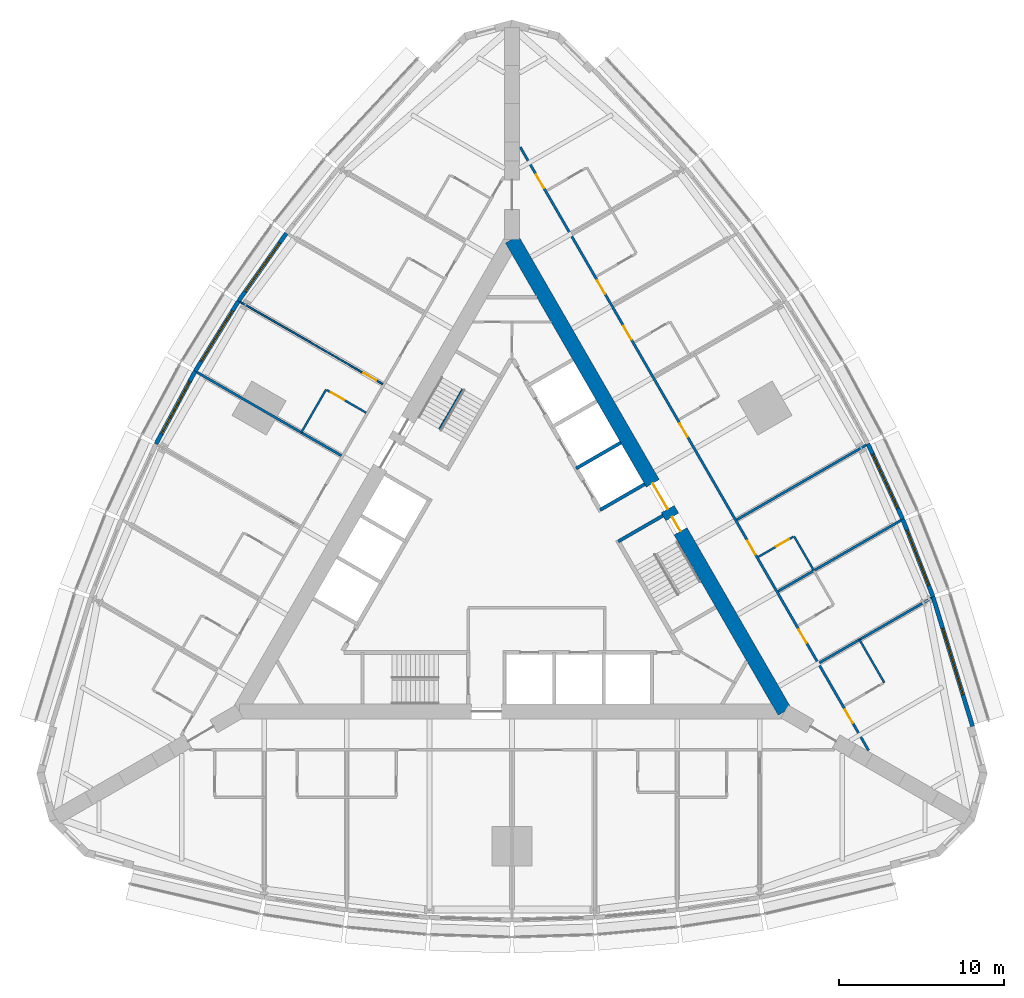
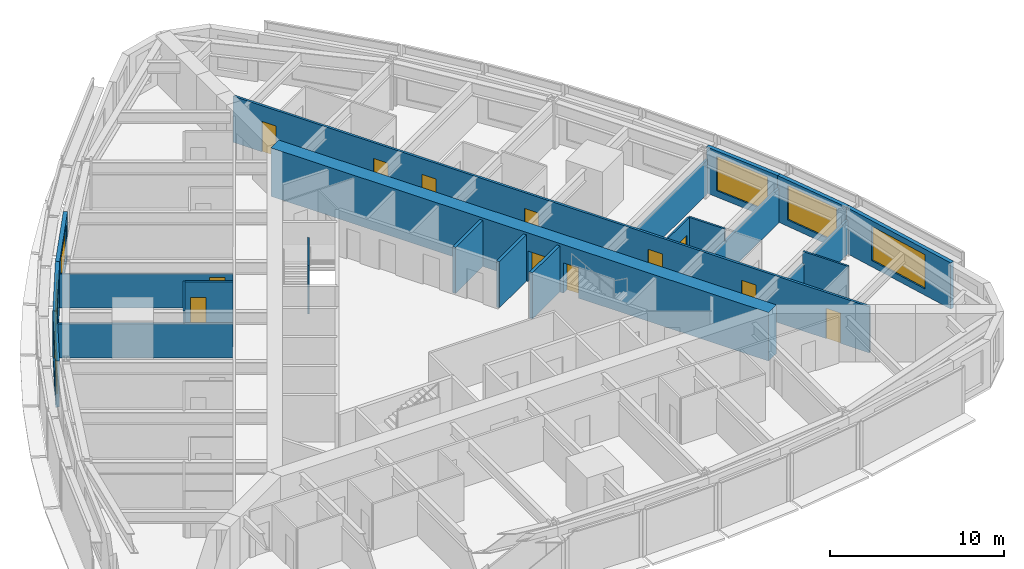
# One storey, part 11 of 14: 22 walls, 12 doors, 6 windows, 18 openings.
"""IFC4 building model written with IfcOpenShell, lengths in metres."""

from ifc_helpers import new_model, si_unit, direction, frame, frame_2d, origin, place, context, subcontext, project, spatial, rectangle, extrude, material, layer, layer_set, type_object, element, fill, save


model = new_model("IFC4")

# Units and contexts
model_context = context("Model", 3, precision=1e-05, world=origin(), true_north=direction((0.0, 1.0)))
body_context = subcontext(model_context, "Body", "Model", "MODEL_VIEW")
ifc_project = project(units=[si_unit("LENGTHUNIT", "METRE"), si_unit("AREAUNIT", "SQUARE_METRE"), si_unit("VOLUMEUNIT", "CUBIC_METRE"), si_unit("PLANEANGLEUNIT", "RADIAN"), si_unit("MASSUNIT", "GRAM", prefix="KILO")], contexts=[model_context])

# Site, building, storey
site_placement = place(None, origin())
site = spatial("IfcSite", under=ifc_project, at=site_placement, CompositionType="ELEMENT")
building_placement = place(site_placement, origin())
building = spatial("IfcBuilding", under=site, at=building_placement, Name="Trikona Tower", CompositionType="ELEMENT")
storey_placement = place(building_placement, frame((0.0, 0.0, 45.5)))
storey = spatial("IfcBuildingStorey", under=building, at=storey_placement, Name="L10", CompositionType="ELEMENT", Elevation=45.5)

# Walls
ifc_material_1 = material(Name="Metal stud and cement board", Category="gypsum")
ifc_layer_1 = layer(ifc_material_1, 0.1201171875)
ifc_layer_set_1 = layer_set([ifc_layer_1], Name="Bathroom wall 120")
wall_type_1 = type_object("IfcWallType", Name="Bathroom wall 120", PredefinedType="PLUMBINGWALL", material=ifc_layer_set_1)
wall_1_placement = place(storey_placement, frame((22.53271484375, -7.775390625, 0.0), z_axis=(0.0, 0.0, 1.0), x_axis=(-0.499990139034, 0.866031096941, 0.0)))
element("IfcWall", 1, at=wall_1_placement, inside=storey, type_object=wall_type_1, Name="Bathroom wall 1006", PredefinedType="PLUMBINGWALL", context=body_context, shape_type="SweptSolid", body=[
    extrude(rectangle(XDim=3.0, YDim=0.1201171875, at=frame_2d((1.5, 0.0))), origin(), (0.0, 0.0, 1.0), 3.235107421875),
])
wall_2_placement = place(storey_placement, frame((18.27294921875, -0.9970703125, 0.0), z_axis=(0.0, 0.0, 1.0), x_axis=(-0.500001309137, 0.866024647952, 0.0)))
element("IfcWall", 2, at=wall_2_placement, inside=storey, type_object=wall_type_1, Name="Bathroom wall 1008", PredefinedType="PLUMBINGWALL", context=body_context, shape_type="SweptSolid", body=[
    extrude(rectangle(XDim=2.39990234375, YDim=0.1201171875, at=frame_2d((1.199951171875, 0.0))), origin(), (0.0, 0.0, 1.0), 3.235107421875),
])

# Wall, opening, door
wall_3_placement = place(storey_placement, frame((14.907958984375, -0.168701171875, 0.0), z_axis=(0.0, 0.0, 1.0), x_axis=(0.866023955769, 0.500002508028, 0.0)))
wall_3 = element("IfcWall", 3, at=wall_3_placement, inside=storey, type_object=wall_type_1, Name="Bathroom wall 1008", PredefinedType="PLUMBINGWALL", context=body_context, shape_type="SweptSolid", body=[
    extrude(rectangle(XDim=2.43994140625, YDim=0.1201171875, at=frame_2d((1.219970703125, 0.0))), origin(), (0.0, 0.0, 1.0), 3.235107421875),
])
opening_1_placement = place(wall_3_placement, frame((1.25, 0.0, 0.0)))
opening_1 = element("IfcOpeningElement", 4, at=opening_1_placement, cuts=wall_3, Name="Opening D2", PredefinedType="OPENING", context=body_context, shape_type="SweptSolid", body=[
    extrude(rectangle(XDim=0.89990234375, YDim=2.1298828125, at=frame_2d((0.449951171875, 1.06494140625))), frame((0.0, 0.070068359375, 0.0), z_axis=(0.0, -1.0, 0.0), x_axis=(1.0, 0.0, 0.0)), (0.0, 0.0, 1.0), 0.14013671875),
])
ifc_material_2 = material(Name="Steel door frame with solid-core timber leaf", Category="steel")
door_type_1 = type_object("IfcDoorType", Name="Bathroom door 900x2130", OperationType="SLIDING_TO_LEFT", PredefinedType="DOOR", material=ifc_material_2)
door_1_placement = place(opening_1_placement, origin())
door_1 = element("IfcDoor", 5, at=door_1_placement, inside=storey, type_object=door_type_1, Name="Bathroom door 1008", OperationType="SLIDING_TO_LEFT", OverallHeight=2.1298828125, OverallWidth=0.89990234375, PredefinedType="DOOR", context=body_context, shape_type="SweptSolid", body=[
    extrude(rectangle(XDim=0.89990234375, YDim=2.1298828125, at=frame_2d((0.449951171875, 1.06494140625))), frame((0.0, 0.02490234375, 0.0), z_axis=(0.0, -1.0, 0.0), x_axis=(1.0, 0.0, 0.0)), (0.0, 0.0, 1.0), 0.050048828125),
])
fill(opening_1, door_1)

# Wall
wall_4_placement = place(storey_placement, frame((-11.25341796875, 9.961181640625, 0.0), z_axis=(0.0, 0.0, 1.0), x_axis=(-0.499990139034, -0.866031096941, 0.0)))
element("IfcWall", 6, at=wall_4_placement, inside=storey, type_object=wall_type_1, Name="Bathroom wall 1015.1", PredefinedType="PLUMBINGWALL", context=body_context, shape_type="SweptSolid", body=[
    extrude(rectangle(XDim=3.0, YDim=0.1201171875, at=frame_2d((1.5, 0.0))), origin(), (0.0, 0.0, 1.0), 3.235107421875),
])

# Wall, opening, door
wall_5_placement = place(storey_placement, frame((-8.82861328125, 8.561279296875, 0.0), z_axis=(0.0, 0.0, 1.0), x_axis=(-0.866035715982, 0.499982138324, 0.0)))
wall_5 = element("IfcWall", 7, at=wall_5_placement, inside=storey, type_object=wall_type_1, Name="Bathroom wall 1015.1", PredefinedType="PLUMBINGWALL", context=body_context, shape_type="SweptSolid", body=[
    extrude(rectangle(XDim=2.73974609375, YDim=0.1201171875, at=frame_2d((1.369873046875, 0.0))), origin(), (0.0, 0.0, 1.0), 3.235107421875),
])
opening_2_placement = place(wall_5_placement, frame((1.550048828125, 0.0, 0.0)))
opening_2 = element("IfcOpeningElement", 8, at=opening_2_placement, cuts=wall_5, Name="Opening D2", PredefinedType="OPENING", context=body_context, shape_type="SweptSolid", body=[
    extrude(rectangle(XDim=0.89990234375, YDim=2.1298828125, at=frame_2d((0.449951171875, 1.06494140625))), frame((0.0, 0.070068359375, 0.0), z_axis=(0.0, -1.0, 0.0), x_axis=(1.0, 0.0, 0.0)), (0.0, 0.0, 1.0), 0.14013671875),
])
door_2_placement = place(opening_2_placement, origin())
door_2 = element("IfcDoor", 9, at=door_2_placement, inside=storey, type_object=door_type_1, Name="Bathroom door 1015.1", OperationType="SLIDING_TO_LEFT", OverallHeight=2.1298828125, OverallWidth=0.89990234375, PredefinedType="DOOR", context=body_context, shape_type="SweptSolid", body=[
    extrude(rectangle(XDim=0.89990234375, YDim=2.1298828125, at=frame_2d((0.449951171875, 1.06494140625))), frame((0.0, 0.02490234375, 0.0), z_axis=(0.0, -1.0, 0.0), x_axis=(1.0, 0.0, 0.0)), (0.0, 0.0, 1.0), 0.050048828125),
])
fill(opening_2, door_2)

# Wall, openings, doors
ifc_material_3 = material(Name="Concrete f'c 10000 psi", Category="concrete")
ifc_layer_2 = layer(ifc_material_3, 0.89990234375)
ifc_layer_set_2 = layer_set([ifc_layer_2], Name="Core wall 900")
wall_type_2 = type_object("IfcWallType", Name="Core wall 900", PredefinedType="SHEAR", material=ifc_layer_set_2)
wall_6_placement = place(storey_placement, frame((16.5, -9.5263671875, 0.0), z_axis=(0.0, 0.0, 1.0), x_axis=(-0.499999749417, 0.866025548458, 0.0)))
wall_6 = element("IfcWall", 10, at=wall_6_placement, inside=storey, type_object=wall_type_2, Name="Core wall B", PredefinedType="SHEAR", context=body_context, shape_type="SweptSolid", body=[
    extrude(rectangle(XDim=33.0, YDim=0.89990234375, at=frame_2d((16.5, 0.0))), origin(), (0.0, 0.0, 1.0), 3.39990234375),
])
opening_3_placement = place(wall_6_placement, frame((14.14990234375, 0.0, 0.0)))
opening_3 = element("IfcOpeningElement", 11, at=opening_3_placement, cuts=wall_6, Name="Opening D6", PredefinedType="OPENING", context=body_context, shape_type="SweptSolid", body=[
    extrude(rectangle(XDim=1.800048828125, YDim=2.1298828125, at=frame_2d((0.89990234375, 1.06494140625))), frame((0.0, 0.4599609375, 0.0), z_axis=(0.0, -1.0, 0.0), x_axis=(1.0, 0.0, 0.0)), (0.0, 0.0, 1.0), 0.919921875),
])
opening_4_placement = place(wall_6_placement, frame((12.60009765625, 0.0, 0.0)))
opening_4 = element("IfcOpeningElement", 12, at=opening_4_placement, cuts=wall_6, Name="Opening D5", PredefinedType="OPENING", context=body_context, shape_type="SweptSolid", body=[
    extrude(rectangle(XDim=1.0, YDim=2.1298828125, at=frame_2d((0.5, 1.06494140625))), frame((0.0, 0.4599609375, 0.0), z_axis=(0.0, -1.0, 0.0), x_axis=(1.0, 0.0, 0.0)), (0.0, 0.0, 1.0), 0.919921875),
])
ifc_material_4 = material(Name="Hollow metal door and frame", Category="steel")
door_type_2 = type_object("IfcDoorType", Name="Lobby door pair 1800x2130", OperationType="DOUBLE_DOOR_SINGLE_SWING", PredefinedType="DOOR", material=ifc_material_4)
door_3_placement = place(opening_3_placement, origin())
door_3 = element("IfcDoor", 13, at=door_3_placement, inside=storey, type_object=door_type_2, Name="Lift lobby door B", OperationType="DOUBLE_DOOR_SINGLE_SWING", OverallHeight=2.1298828125, OverallWidth=1.800048828125, PredefinedType="DOOR", context=body_context, shape_type="SweptSolid", body=[
    extrude(rectangle(XDim=1.800048828125, YDim=2.1298828125, at=frame_2d((0.89990234375, 1.06494140625))), frame((0.0, 0.02490234375, 0.0), z_axis=(0.0, -1.0, 0.0), x_axis=(1.0, 0.0, 0.0)), (0.0, 0.0, 1.0), 0.050048828125),
])
fill(opening_3, door_3)
ifc_material_5 = material(Name="Hollow metal door and frame", Category="steel")
door_type_3 = type_object("IfcDoorType", Name="Stair door 1000x2130", OperationType="SINGLE_SWING_LEFT", PredefinedType="DOOR", material=ifc_material_5)
door_4_placement = place(opening_4_placement, origin())
door_4 = element("IfcDoor", 14, at=door_4_placement, inside=storey, type_object=door_type_3, Name="Stair B door", OperationType="SINGLE_SWING_RIGHT", OverallHeight=2.1298828125, OverallWidth=1.0, PredefinedType="DOOR", context=body_context, shape_type="SweptSolid", body=[
    extrude(rectangle(XDim=1.0, YDim=2.1298828125, at=frame_2d((0.5, 1.06494140625))), frame((0.0, 0.02490234375, 0.0), z_axis=(0.0, -1.0, 0.0), x_axis=(1.0, 0.0, 0.0)), (0.0, 0.0, 1.0), 0.050048828125),
])
fill(opening_4, door_4)

ifc_material_6 = material(Name="Metal stud and gypsum board, 1-hour", Category="gypsum")
ifc_layer_3 = layer(ifc_material_6, 0.14990234375)
ifc_layer_set_3 = layer_set([ifc_layer_3], Name="Corridor wall 150")
wall_type_3 = type_object("IfcWallType", Name="Corridor wall 150", PredefinedType="PARTITIONING", material=ifc_layer_set_3)
wall_7_placement = place(storey_placement, frame((21.5859375, -11.88525390625, 0.0), z_axis=(0.0, 0.0, 1.0), x_axis=(-0.500001915564, 0.86602429783, 0.0)))
wall_7 = element("IfcWall", 15, at=wall_7_placement, inside=storey, type_object=wall_type_3, Name="Corridor wall L10-2", PredefinedType="PARTITIONING", context=body_context, shape_type="SweptSolid", body=[
    extrude(rectangle(XDim=42.171630859375, YDim=0.14990234375, at=frame_2d((21.0859375, 0.0))), origin(), (0.0, 0.0, 1.0), 3.235107421875),
])
opening_5_placement = place(wall_7_placement, frame((1.910888671875, 0.0, 0.0)))
opening_5 = element("IfcOpeningElement", 16, at=opening_5_placement, cuts=wall_7, Name="Opening D1", PredefinedType="OPENING", context=body_context, shape_type="SweptSolid", body=[
    extrude(rectangle(XDim=0.949951171875, YDim=2.1298828125, at=frame_2d((0.47509765625, 1.06494140625))), frame((0.0, 0.0849609375, 0.0), z_axis=(0.0, -1.0, 0.0), x_axis=(1.0, 0.0, 0.0)), (0.0, 0.0, 1.0), 0.169921875),
])
opening_6_placement = place(wall_7_placement, frame((7.510986328125, 0.0, 0.0)))
opening_6 = element("IfcOpeningElement", 17, at=opening_6_placement, cuts=wall_7, Name="Opening D1", PredefinedType="OPENING", context=body_context, shape_type="SweptSolid", body=[
    extrude(rectangle(XDim=0.949951171875, YDim=2.1298828125, at=frame_2d((0.47509765625, 1.06494140625))), frame((0.0, 0.0849609375, 0.0), z_axis=(0.0, -1.0, 0.0), x_axis=(1.0, 0.0, 0.0)), (0.0, 0.0, 1.0), 0.169921875),
])
opening_7_placement = place(wall_7_placement, frame((13.7109375, 0.0, 0.0)))
opening_7 = element("IfcOpeningElement", 18, at=opening_7_placement, cuts=wall_7, Name="Opening D1", PredefinedType="OPENING", context=body_context, shape_type="SweptSolid", body=[
    extrude(rectangle(XDim=0.949951171875, YDim=2.1298828125, at=frame_2d((0.47509765625, 1.06494140625))), frame((0.0, 0.0849609375, 0.0), z_axis=(0.0, -1.0, 0.0), x_axis=(1.0, 0.0, 0.0)), (0.0, 0.0, 1.0), 0.169921875),
])
opening_8_placement = place(wall_7_placement, frame((21.910888671875, 0.0, 0.0)))
opening_8 = element("IfcOpeningElement", 19, at=opening_8_placement, cuts=wall_7, Name="Opening D1", PredefinedType="OPENING", context=body_context, shape_type="SweptSolid", body=[
    extrude(rectangle(XDim=0.949951171875, YDim=2.1298828125, at=frame_2d((0.47509765625, 1.06494140625))), frame((0.0, 0.0849609375, 0.0), z_axis=(0.0, -1.0, 0.0), x_axis=(1.0, 0.0, 0.0)), (0.0, 0.0, 1.0), 0.169921875),
])
opening_9_placement = place(wall_7_placement, frame((28.7109375, 0.0, 0.0)))
opening_9 = element("IfcOpeningElement", 20, at=opening_9_placement, cuts=wall_7, Name="Opening D1", PredefinedType="OPENING", context=body_context, shape_type="SweptSolid", body=[
    extrude(rectangle(XDim=0.949951171875, YDim=2.1298828125, at=frame_2d((0.47509765625, 1.06494140625))), frame((0.0, 0.0849609375, 0.0), z_axis=(0.0, -1.0, 0.0), x_axis=(1.0, 0.0, 0.0)), (0.0, 0.0, 1.0), 0.169921875),
])
opening_10_placement = place(wall_7_placement, frame((31.910888671875, 0.0, 0.0)))
opening_10 = element("IfcOpeningElement", 21, at=opening_10_placement, cuts=wall_7, Name="Opening D1", PredefinedType="OPENING", context=body_context, shape_type="SweptSolid", body=[
    extrude(rectangle(XDim=0.949951171875, YDim=2.1298828125, at=frame_2d((0.47509765625, 1.06494140625))), frame((0.0, 0.0849609375, 0.0), z_axis=(0.0, -1.0, 0.0), x_axis=(1.0, 0.0, 0.0)), (0.0, 0.0, 1.0), 0.169921875),
])
opening_11_placement = place(wall_7_placement, frame((39.310791015625, 0.0, 0.0)))
opening_11 = element("IfcOpeningElement", 22, at=opening_11_placement, cuts=wall_7, Name="Opening D1", PredefinedType="OPENING", context=body_context, shape_type="SweptSolid", body=[
    extrude(rectangle(XDim=0.949951171875, YDim=2.1298828125, at=frame_2d((0.47509765625, 1.06494140625))), frame((0.0, 0.0849609375, 0.0), z_axis=(0.0, -1.0, 0.0), x_axis=(1.0, 0.0, 0.0)), (0.0, 0.0, 1.0), 0.169921875),
])
ifc_material_7 = material(Name="Steel door frame with solid-core timber leaf", Category="steel")
door_type_4 = type_object("IfcDoorType", Name="Guest room door 950x2130", OperationType="SINGLE_SWING_LEFT", PredefinedType="DOOR", material=ifc_material_7)
door_5_placement = place(opening_5_placement, origin())
door_5 = element("IfcDoor", 23, at=door_5_placement, inside=storey, type_object=door_type_4, Name="Room door 1006", OperationType="SINGLE_SWING_LEFT", OverallHeight=2.1298828125, OverallWidth=0.949951171875, PredefinedType="DOOR", context=body_context, shape_type="SweptSolid", body=[
    extrude(rectangle(XDim=0.949951171875, YDim=2.1298828125, at=frame_2d((0.47509765625, 1.06494140625))), frame((0.0, 0.02490234375, 0.0), z_axis=(0.0, -1.0, 0.0), x_axis=(1.0, 0.0, 0.0)), (0.0, 0.0, 1.0), 0.050048828125),
])
fill(opening_5, door_5)
door_6_placement = place(opening_6_placement, origin())
door_6 = element("IfcDoor", 24, at=door_6_placement, inside=storey, type_object=door_type_4, Name="Room door 1007", OperationType="SINGLE_SWING_RIGHT", OverallHeight=2.1298828125, OverallWidth=0.949951171875, PredefinedType="DOOR", context=body_context, shape_type="SweptSolid", body=[
    extrude(rectangle(XDim=0.949951171875, YDim=2.1298828125, at=frame_2d((0.47509765625, 1.06494140625))), frame((0.0, 0.02490234375, 0.0), z_axis=(0.0, -1.0, 0.0), x_axis=(1.0, 0.0, 0.0)), (0.0, 0.0, 1.0), 0.050048828125),
])
fill(opening_6, door_6)
door_7_placement = place(opening_7_placement, origin())
door_7 = element("IfcDoor", 25, at=door_7_placement, inside=storey, type_object=door_type_4, Name="Room door 1008", OperationType="SINGLE_SWING_LEFT", OverallHeight=2.1298828125, OverallWidth=0.949951171875, PredefinedType="DOOR", context=body_context, shape_type="SweptSolid", body=[
    extrude(rectangle(XDim=0.949951171875, YDim=2.1298828125, at=frame_2d((0.47509765625, 1.06494140625))), frame((0.0, 0.02490234375, 0.0), z_axis=(0.0, -1.0, 0.0), x_axis=(1.0, 0.0, 0.0)), (0.0, 0.0, 1.0), 0.050048828125),
])
fill(opening_7, door_7)
door_8_placement = place(opening_8_placement, origin())
door_8 = element("IfcDoor", 26, at=door_8_placement, inside=storey, type_object=door_type_4, Name="Room door 1009", OperationType="SINGLE_SWING_RIGHT", OverallHeight=2.1298828125, OverallWidth=0.949951171875, PredefinedType="DOOR", context=body_context, shape_type="SweptSolid", body=[
    extrude(rectangle(XDim=0.949951171875, YDim=2.1298828125, at=frame_2d((0.47509765625, 1.06494140625))), frame((0.0, 0.02490234375, 0.0), z_axis=(0.0, -1.0, 0.0), x_axis=(1.0, 0.0, 0.0)), (0.0, 0.0, 1.0), 0.050048828125),
])
fill(opening_8, door_8)
door_9_placement = place(opening_9_placement, origin())
door_9 = element("IfcDoor", 27, at=door_9_placement, inside=storey, type_object=door_type_4, Name="Room door 1010", OperationType="SINGLE_SWING_LEFT", OverallHeight=2.1298828125, OverallWidth=0.949951171875, PredefinedType="DOOR", context=body_context, shape_type="SweptSolid", body=[
    extrude(rectangle(XDim=0.949951171875, YDim=2.1298828125, at=frame_2d((0.47509765625, 1.06494140625))), frame((0.0, 0.02490234375, 0.0), z_axis=(0.0, -1.0, 0.0), x_axis=(1.0, 0.0, 0.0)), (0.0, 0.0, 1.0), 0.050048828125),
])
fill(opening_9, door_9)
door_10_placement = place(opening_10_placement, origin())
door_10 = element("IfcDoor", 28, at=door_10_placement, inside=storey, type_object=door_type_4, Name="Room door 1011", OperationType="SINGLE_SWING_RIGHT", OverallHeight=2.1298828125, OverallWidth=0.949951171875, PredefinedType="DOOR", context=body_context, shape_type="SweptSolid", body=[
    extrude(rectangle(XDim=0.949951171875, YDim=2.1298828125, at=frame_2d((0.47509765625, 1.06494140625))), frame((0.0, 0.02490234375, 0.0), z_axis=(0.0, -1.0, 0.0), x_axis=(1.0, 0.0, 0.0)), (0.0, 0.0, 1.0), 0.050048828125),
])
fill(opening_10, door_10)
door_11_placement = place(opening_11_placement, origin())
door_11 = element("IfcDoor", 29, at=door_11_placement, inside=storey, type_object=door_type_4, Name="Room door 1012", OperationType="SINGLE_SWING_RIGHT", OverallHeight=2.1298828125, OverallWidth=0.949951171875, PredefinedType="DOOR", context=body_context, shape_type="SweptSolid", body=[
    extrude(rectangle(XDim=0.949951171875, YDim=2.1298828125, at=frame_2d((0.47509765625, 1.06494140625))), frame((0.0, 0.02490234375, 0.0), z_axis=(0.0, -1.0, 0.0), x_axis=(1.0, 0.0, 0.0)), (0.0, 0.0, 1.0), 0.050048828125),
])
fill(opening_11, door_11)

# Wall, opening, window
ifc_material_8 = material(Name="Insulated precast concrete spandrel panel", Category="concrete")
ifc_layer_4 = layer(ifc_material_8, 0.25)
ifc_layer_set_4 = layer_set([ifc_layer_4], Name="Inner skin wall 250")
wall_type_4 = type_object("IfcWallType", Name="Inner skin wall 250", PredefinedType="STANDARD", material=ifc_layer_set_4)
wall_8_placement = place(storey_placement, frame((27.88037109375, -10.4287109375, 0.0), z_axis=(0.0, 0.0, 1.0), x_axis=(-0.2919790669, 0.956424709265, 0.0)))
wall_8 = element("IfcWall", 30, at=wall_8_placement, inside=storey, type_object=wall_type_4, Name="External wall L10-12", PredefinedType="STANDARD", context=body_context, shape_type="SweptSolid", body=[
    extrude(rectangle(XDim=8.211181640625, YDim=0.25, at=frame_2d((4.10546875, 0.0))), origin(), (0.0, 0.0, 1.0), 3.235107421875),
])
opening_12_placement = place(wall_8_placement, frame((2.005615234375, 0.0, 0.449951171875)))
opening_12 = element("IfcOpeningElement", 31, at=opening_12_placement, cuts=wall_8, Name="Opening W4224", PredefinedType="OPENING", context=body_context, shape_type="SweptSolid", body=[
    extrude(rectangle(XDim=4.199951171875, YDim=2.39990234375, at=frame_2d((2.10009765625, 1.199951171875))), frame((0.0, 0.135009765625, 0.0), z_axis=(0.0, -1.0, 0.0), x_axis=(1.0, 0.0, 0.0)), (0.0, 0.0, 1.0), 0.27001953125),
])
ifc_material_9 = material(Name="Aluminium-framed double glazing", Category="aluminium")
window_type_1 = type_object("IfcWindowType", Name="Window 4200x2400", PartitioningType="SINGLE_PANEL", PredefinedType="WINDOW", material=ifc_material_9)
window_1_placement = place(opening_12_placement, origin())
window_1 = element("IfcWindow", 32, at=window_1_placement, inside=storey, type_object=window_type_1, Name="Window 1006", OverallHeight=2.39990234375, OverallWidth=4.199951171875, PartitioningType="SINGLE_PANEL", PredefinedType="WINDOW", context=body_context, shape_type="SweptSolid", body=[
    extrude(rectangle(XDim=4.199951171875, YDim=2.39990234375, at=frame_2d((2.10009765625, 1.199951171875))), frame((0.0, 0.030029296875, 0.0), z_axis=(0.0, -1.0, 0.0), x_axis=(1.0, 0.0, 0.0)), (0.0, 0.0, 1.0), 0.06005859375),
])
fill(opening_12, window_1)

wall_9_placement = place(storey_placement, frame((25.486083984375, -2.58447265625, 0.0), z_axis=(0.0, 0.0, 1.0), x_axis=(-0.364013463868, 0.931393685894, 0.0)))
wall_9 = element("IfcWall", 33, at=wall_9_placement, inside=storey, type_object=wall_type_4, Name="External wall L10-13", PredefinedType="STANDARD", context=body_context, shape_type="SweptSolid", body=[
    extrude(rectangle(XDim=5.0576171875, YDim=0.25, at=frame_2d((2.52880859375, 0.0))), origin(), (0.0, 0.0, 1.0), 3.235107421875),
])
opening_13_placement = place(wall_9_placement, frame((0.728759765625, 0.0, 0.449951171875)))
opening_13 = element("IfcOpeningElement", 34, at=opening_13_placement, cuts=wall_9, Name="Opening W3624", PredefinedType="OPENING", context=body_context, shape_type="SweptSolid", body=[
    extrude(rectangle(XDim=3.60009765625, YDim=2.39990234375, at=frame_2d((1.800048828125, 1.199951171875))), frame((0.0, 0.135009765625, 0.0), z_axis=(0.0, -1.0, 0.0), x_axis=(1.0, 0.0, 0.0)), (0.0, 0.0, 1.0), 0.27001953125),
])
ifc_material_10 = material(Name="Aluminium-framed double glazing", Category="aluminium")
window_type_2 = type_object("IfcWindowType", Name="Window 3600x2400", PartitioningType="SINGLE_PANEL", PredefinedType="WINDOW", material=ifc_material_10)
window_2_placement = place(opening_13_placement, origin())
window_2 = element("IfcWindow", 35, at=window_2_placement, inside=storey, type_object=window_type_2, Name="Window 1007", OverallHeight=2.39990234375, OverallWidth=3.60009765625, PartitioningType="SINGLE_PANEL", PredefinedType="WINDOW", context=body_context, shape_type="SweptSolid", body=[
    extrude(rectangle(XDim=3.60009765625, YDim=2.39990234375, at=frame_2d((1.800048828125, 1.199951171875))), frame((0.0, 0.030029296875, 0.0), z_axis=(0.0, -1.0, 0.0), x_axis=(1.0, 0.0, 0.0)), (0.0, 0.0, 1.0), 0.06005859375),
])
fill(opening_13, window_2)

wall_10_placement = place(storey_placement, frame((23.64794921875, 2.119384765625, 0.0), z_axis=(0.0, 0.0, 1.0), x_axis=(-0.419203100754, 0.907892482796, 0.0)))
wall_10 = element("IfcWall", 36, at=wall_10_placement, inside=storey, type_object=wall_type_4, Name="External wall L10-14", PredefinedType="STANDARD", context=body_context, shape_type="SweptSolid", body=[
    extrude(rectangle(XDim=5.020751953125, YDim=0.25, at=frame_2d((2.51025390625, 0.0))), origin(), (0.0, 0.0, 1.0), 3.235107421875),
])
opening_14_placement = place(wall_10_placement, frame((0.71044921875, 0.0, 0.449951171875)))
opening_14 = element("IfcOpeningElement", 37, at=opening_14_placement, cuts=wall_10, Name="Opening W3624", PredefinedType="OPENING", context=body_context, shape_type="SweptSolid", body=[
    extrude(rectangle(XDim=3.60009765625, YDim=2.39990234375, at=frame_2d((1.800048828125, 1.199951171875))), frame((0.0, 0.135009765625, 0.0), z_axis=(0.0, -1.0, 0.0), x_axis=(1.0, 0.0, 0.0)), (0.0, 0.0, 1.0), 0.27001953125),
])
window_3_placement = place(opening_14_placement, origin())
window_3 = element("IfcWindow", 38, at=window_3_placement, inside=storey, type_object=window_type_2, Name="Window 1008", OverallHeight=2.39990234375, OverallWidth=3.60009765625, PartitioningType="SINGLE_PANEL", PredefinedType="WINDOW", context=body_context, shape_type="SweptSolid", body=[
    extrude(rectangle(XDim=3.60009765625, YDim=2.39990234375, at=frame_2d((1.800048828125, 1.199951171875))), frame((0.0, 0.030029296875, 0.0), z_axis=(0.0, -1.0, 0.0), x_axis=(1.0, 0.0, 0.0)), (0.0, 0.0, 1.0), 0.06005859375),
])
fill(opening_14, window_3)

wall_11_placement = place(storey_placement, frame((-13.659423828125, 19.420166015625, 0.0), z_axis=(0.0, 0.0, 1.0), x_axis=(-0.5766431066, -0.81699616132, 0.0)))
wall_11 = element("IfcWall", 39, at=wall_11_placement, inside=storey, type_object=wall_type_4, Name="External wall L10-26", PredefinedType="STANDARD", context=body_context, shape_type="SweptSolid", body=[
    extrude(rectangle(XDim=5.02099609375, YDim=0.25, at=frame_2d((2.510498046875, 0.0))), origin(), (0.0, 0.0, 1.0), 3.235107421875),
])
opening_15_placement = place(wall_11_placement, frame((0.71044921875, 0.0, 0.449951171875)))
opening_15 = element("IfcOpeningElement", 40, at=opening_15_placement, cuts=wall_11, Name="Opening W3624", PredefinedType="OPENING", context=body_context, shape_type="SweptSolid", body=[
    extrude(rectangle(XDim=3.60009765625, YDim=2.39990234375, at=frame_2d((1.800048828125, 1.199951171875))), frame((0.0, 0.135009765625, 0.0), z_axis=(0.0, -1.0, 0.0), x_axis=(1.0, 0.0, 0.0)), (0.0, 0.0, 1.0), 0.27001953125),
])
window_4_placement = place(opening_15_placement, origin())
window_4 = element("IfcWindow", 41, at=window_4_placement, inside=storey, type_object=window_type_2, Name="Window 1015", OverallHeight=2.39990234375, OverallWidth=3.60009765625, PartitioningType="SINGLE_PANEL", PredefinedType="WINDOW", context=body_context, shape_type="SweptSolid", body=[
    extrude(rectangle(XDim=3.60009765625, YDim=2.39990234375, at=frame_2d((1.800048828125, 1.199951171875))), frame((0.0, 0.030029296875, 0.0), z_axis=(0.0, -1.0, 0.0), x_axis=(1.0, 0.0, 0.0)), (0.0, 0.0, 1.0), 0.06005859375),
])
fill(opening_15, window_4)

wall_12_placement = place(storey_placement, frame((-16.550537109375, 15.324462890625, 0.0), z_axis=(0.0, 0.0, 1.0), x_axis=(-0.526132807704, -0.850402415717, 0.0)))
wall_12 = element("IfcWall", 42, at=wall_12_placement, inside=storey, type_object=wall_type_4, Name="External wall L10-27", PredefinedType="STANDARD", context=body_context, shape_type="SweptSolid", body=[
    extrude(rectangle(XDim=5.002197265625, YDim=0.25, at=frame_2d((2.5009765625, 0.0))), origin(), (0.0, 0.0, 1.0), 3.235107421875),
])
opening_16_placement = place(wall_12_placement, frame((0.701171875, 0.0, 0.449951171875)))
opening_16 = element("IfcOpeningElement", 43, at=opening_16_placement, cuts=wall_12, Name="Opening W3624", PredefinedType="OPENING", context=body_context, shape_type="SweptSolid", body=[
    extrude(rectangle(XDim=3.60009765625, YDim=2.39990234375, at=frame_2d((1.800048828125, 1.199951171875))), frame((0.0, 0.135009765625, 0.0), z_axis=(0.0, -1.0, 0.0), x_axis=(1.0, 0.0, 0.0)), (0.0, 0.0, 1.0), 0.27001953125),
])
window_5_placement = place(opening_16_placement, origin())
window_5 = element("IfcWindow", 44, at=window_5_placement, inside=storey, type_object=window_type_2, Name="Window 1015.1", OverallHeight=2.39990234375, OverallWidth=3.60009765625, PartitioningType="SINGLE_PANEL", PredefinedType="WINDOW", context=body_context, shape_type="SweptSolid", body=[
    extrude(rectangle(XDim=3.60009765625, YDim=2.39990234375, at=frame_2d((1.800048828125, 1.199951171875))), frame((0.0, 0.030029296875, 0.0), z_axis=(0.0, -1.0, 0.0), x_axis=(1.0, 0.0, 0.0)), (0.0, 0.0, 1.0), 0.06005859375),
])
fill(opening_16, window_5)

wall_13_placement = place(storey_placement, frame((-19.178466796875, 11.0771484375, 0.0), z_axis=(0.0, 0.0, 1.0), x_axis=(-0.473412820489, -0.880840678782, 0.0)))
wall_13 = element("IfcWall", 45, at=wall_13_placement, inside=storey, type_object=wall_type_4, Name="External wall L10-28", PredefinedType="STANDARD", context=body_context, shape_type="SweptSolid", body=[
    extrude(rectangle(XDim=5.00244140625, YDim=0.25, at=frame_2d((2.501220703125, 0.0))), origin(), (0.0, 0.0, 1.0), 3.235107421875),
])
opening_17_placement = place(wall_13_placement, frame((0.701171875, 0.0, 0.449951171875)))
opening_17 = element("IfcOpeningElement", 46, at=opening_17_placement, cuts=wall_13, Name="Opening W3624", PredefinedType="OPENING", context=body_context, shape_type="SweptSolid", body=[
    extrude(rectangle(XDim=3.60009765625, YDim=2.39990234375, at=frame_2d((1.800048828125, 1.199951171875))), frame((0.0, 0.135009765625, 0.0), z_axis=(0.0, -1.0, 0.0), x_axis=(1.0, 0.0, 0.0)), (0.0, 0.0, 1.0), 0.27001953125),
])
window_6_placement = place(opening_17_placement, origin())
window_6 = element("IfcWindow", 47, at=window_6_placement, inside=storey, type_object=window_type_2, Name="Window 1016", OverallHeight=2.39990234375, OverallWidth=3.60009765625, PartitioningType="SINGLE_PANEL", PredefinedType="WINDOW", context=body_context, shape_type="SweptSolid", body=[
    extrude(rectangle(XDim=3.60009765625, YDim=2.39990234375, at=frame_2d((1.800048828125, 1.199951171875))), frame((0.0, 0.030029296875, 0.0), z_axis=(0.0, -1.0, 0.0), x_axis=(1.0, 0.0, 0.0)), (0.0, 0.0, 1.0), 0.06005859375),
])
fill(opening_17, window_6)

# Walls
ifc_material_11 = material(Name="Metal stud and gypsum board, 1-hour acoustic", Category="gypsum")
ifc_layer_5 = layer(ifc_material_11, 0.14990234375)
ifc_layer_set_5 = layer_set([ifc_layer_5], Name="Party wall 150")
wall_type_5 = type_object("IfcWallType", Name="Party wall 150", PredefinedType="PARTITIONING", material=ifc_layer_set_5)
wall_14_placement = place(storey_placement, frame((18.60791015625, -6.5771484375, 0.0), z_axis=(0.0, 0.0, 1.0), x_axis=(0.866034818847, 0.499983692279, 0.0)))
element("IfcWall", 48, at=wall_14_placement, inside=storey, type_object=wall_type_5, Name="Partition L10 F2 u-15", PredefinedType="PARTITIONING", context=body_context, shape_type="SweptSolid", body=[
    extrude(rectangle(XDim=7.820068359375, YDim=0.14990234375, at=frame_2d((3.91015625, 0.0))), origin(), (0.0, 0.0, 1.0), 2.38916015625),
])
wall_15_placement = place(storey_placement, frame((16.10791015625, -2.2470703125, 0.0), z_axis=(0.0, 0.0, 1.0), x_axis=(0.866018881988, 0.500011295912, 0.0)))
element("IfcWall", 49, at=wall_15_placement, inside=storey, type_object=wall_type_5, Name="Partition L10 F2 u-10", PredefinedType="PARTITIONING", context=body_context, shape_type="SweptSolid", body=[
    extrude(rectangle(XDim=8.584716796875, YDim=0.14990234375, at=frame_2d((4.29248046875, 0.0))), origin(), (0.0, 0.0, 1.0), 2.38916015625),
])
wall_16_placement = place(storey_placement, frame((13.60791015625, 2.0830078125, 0.0), z_axis=(0.0, 0.0, 1.0), x_axis=(0.866028232062, 0.499995101247, 0.0)))
element("IfcWall", 50, at=wall_16_placement, inside=storey, type_object=wall_type_5, Name="Partition L10 F2 u-5", PredefinedType="PARTITIONING", context=body_context, shape_type="SweptSolid", body=[
    extrude(rectangle(XDim=9.04296875, YDim=0.14990234375, at=frame_2d((4.521484375, 0.0))), origin(), (0.0, 0.0, 1.0), 2.38916015625),
])
wall_17_placement = place(storey_placement, frame((-10.32861328125, 5.963134765625, 0.0), z_axis=(0.0, 0.0, 1.0), x_axis=(-0.866021688545, 0.500006434927, 0.0)))
element("IfcWall", 51, at=wall_17_placement, inside=storey, type_object=wall_type_5, Name="Partition L10 F3 u-5.10703e-15", PredefinedType="PARTITIONING", context=body_context, shape_type="SweptSolid", body=[
    extrude(rectangle(XDim=10.095947265625, YDim=0.14990234375, at=frame_2d((5.0478515625, 0.0))), origin(), (0.0, 0.0, 1.0), 2.38916015625),
])
ifc_material_12 = material(Name="Concrete f'c 8000 psi", Category="concrete")
ifc_layer_6 = layer(ifc_material_12, 0.199951171875)
ifc_layer_set_6 = layer_set([ifc_layer_6], Name="Shaft wall 200")
wall_type_6 = type_object("IfcWallType", Name="Shaft wall 200", PredefinedType="SOLIDWALL", material=ifc_layer_set_6)
for number, where, z_axis, x_axis, name in (
    (52, (5.3291015625, 2.672607421875, 0.0), (0.0, 0.0, 1.0), (0.866022959057, 0.500004234368, 0.0), "Shaft wall B3"),
    (53, (3.87890625, 5.18408203125, 0.0), (0.0, 0.0, 1.0), (0.866022959057, 0.500004234368, 0.0), "Shaft wall B4"),
):
    element("IfcWall", number, at=place(storey_placement, frame(where, z_axis=z_axis, x_axis=x_axis)), inside=storey, type_object=wall_type_6, Name=name, PredefinedType="SOLIDWALL", context=body_context, shape_type="SweptSolid", body=[
        extrude(rectangle(XDim=3.125, YDim=0.199951171875, at=frame_2d((1.5625, 0.0))), origin(), (0.0, 0.0, 1.0), 3.235107421875),
    ])
ifc_material_13 = material(Name="Concrete f'c 8000 psi", Category="concrete")
ifc_layer_7 = layer(ifc_material_13, 0.199951171875)
ifc_layer_set_7 = layer_set([ifc_layer_7], Name="Shaft wall 200 load-bearing")
wall_type_7 = type_object("IfcWallType", Name="Shaft wall 200 load-bearing", PredefinedType="SOLIDWALL", material=ifc_layer_set_7)
wall_18_placement = place(storey_placement, frame((6.428955078125, 0.767333984375, 0.0), z_axis=(0.0, 0.0, 1.0), x_axis=(0.866022959057, 0.500004234368, 0.0)))
element("IfcWall", 54, at=wall_18_placement, inside=storey, type_object=wall_type_7, Name="Shaft wall B2", PredefinedType="SOLIDWALL", context=body_context, shape_type="SweptSolid", body=[
    extrude(rectangle(XDim=3.125, YDim=0.199951171875, at=frame_2d((1.5625, 0.0))), origin(), (0.0, 0.0, 1.0), 3.235107421875),
])
ifc_material_14 = material(Name="Concrete f'c 5000 psi", Category="concrete")
ifc_layer_8 = layer(ifc_material_14, 0.10009765625)
ifc_layer_set_8 = layer_set([ifc_layer_8], Name="Stair spine wall 100")
wall_type_8 = type_object("IfcWallType", Name="Stair spine wall 100", PredefinedType="SOLIDWALL", material=ifc_layer_set_8)
wall_19_placement = place(storey_placement, frame((-2.98779296875, 9.9775390625, 0.0), z_axis=(0.0, 0.0, 1.0), x_axis=(-0.499992232847, -0.866029888106, 0.0)))
element("IfcWall", 55, at=wall_19_placement, inside=storey, type_object=wall_type_8, Name="Stair C spine wall L10", PredefinedType="SOLIDWALL", context=body_context, shape_type="SweptSolid", body=[
    extrude(rectangle(XDim=2.7939453125, YDim=0.10009765625, at=frame_2d((1.39697265625, 0.0))), origin(), (0.0, 0.0, 1.0), 3.39990234375),
])

# Wall, opening, door
ifc_material_15 = material(Name="Metal stud and gypsum board, acoustic", Category="gypsum")
ifc_layer_9 = layer(ifc_material_15, 0.10009765625)
ifc_layer_set_9 = layer_set([ifc_layer_9], Name="Suite partition 100")
wall_type_9 = type_object("IfcWallType", Name="Suite partition 100", PredefinedType="PARTITIONING", material=ifc_layer_set_9)
wall_20_placement = place(storey_placement, frame((-7.82861328125, 10.293212890625, 0.0), z_axis=(0.0, 0.0, 1.0), x_axis=(-0.866016302457, 0.50001576363, 0.0)))
wall_20 = element("IfcWall", 56, at=wall_20_placement, inside=storey, type_object=wall_type_9, Name="Suite partition L10 F3 u-5", PredefinedType="PARTITIONING", context=body_context, shape_type="SweptSolid", body=[
    extrude(rectangle(XDim=9.943115234375, YDim=0.10009765625, at=frame_2d((4.9716796875, 0.0))), origin(), (0.0, 0.0, 1.0), 2.38916015625),
])
opening_18_placement = place(wall_20_placement, frame((0.449951171875, 0.0, 0.0)))
opening_18 = element("IfcOpeningElement", 57, at=opening_18_placement, cuts=wall_20, Name="Opening D13", PredefinedType="OPENING", context=body_context, shape_type="SweptSolid", body=[
    extrude(rectangle(XDim=0.89990234375, YDim=2.1298828125, at=frame_2d((0.449951171875, 1.06494140625))), frame((0.0, 0.06005859375, 0.0), z_axis=(0.0, -1.0, 0.0), x_axis=(1.0, 0.0, 0.0)), (0.0, 0.0, 1.0), 0.1201171875),
])
ifc_material_16 = material(Name="Steel door frame with solid-core timber leaf", Category="steel")
door_type_5 = type_object("IfcDoorType", Name="Suite door 900x2130", OperationType="SINGLE_SWING_LEFT", PredefinedType="DOOR", material=ifc_material_16)
door_12_placement = place(opening_18_placement, origin())
door_12 = element("IfcDoor", 58, at=door_12_placement, inside=storey, type_object=door_type_5, Name="Suite door 1015", OperationType="SINGLE_SWING_LEFT", OverallHeight=2.1298828125, OverallWidth=0.89990234375, PredefinedType="DOOR", context=body_context, shape_type="SweptSolid", body=[
    extrude(rectangle(XDim=0.89990234375, YDim=2.1298828125, at=frame_2d((0.449951171875, 1.06494140625))), frame((0.0, 0.02490234375, 0.0), z_axis=(0.0, -1.0, 0.0), x_axis=(1.0, 0.0, 0.0)), (0.0, 0.0, 1.0), 0.050048828125),
])
fill(opening_18, door_12)

save(model, "model.ifc")
